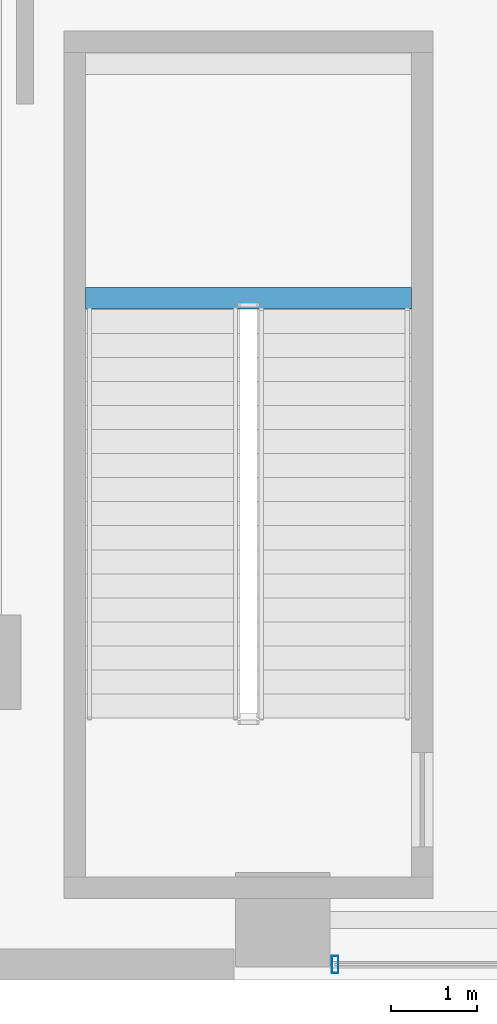
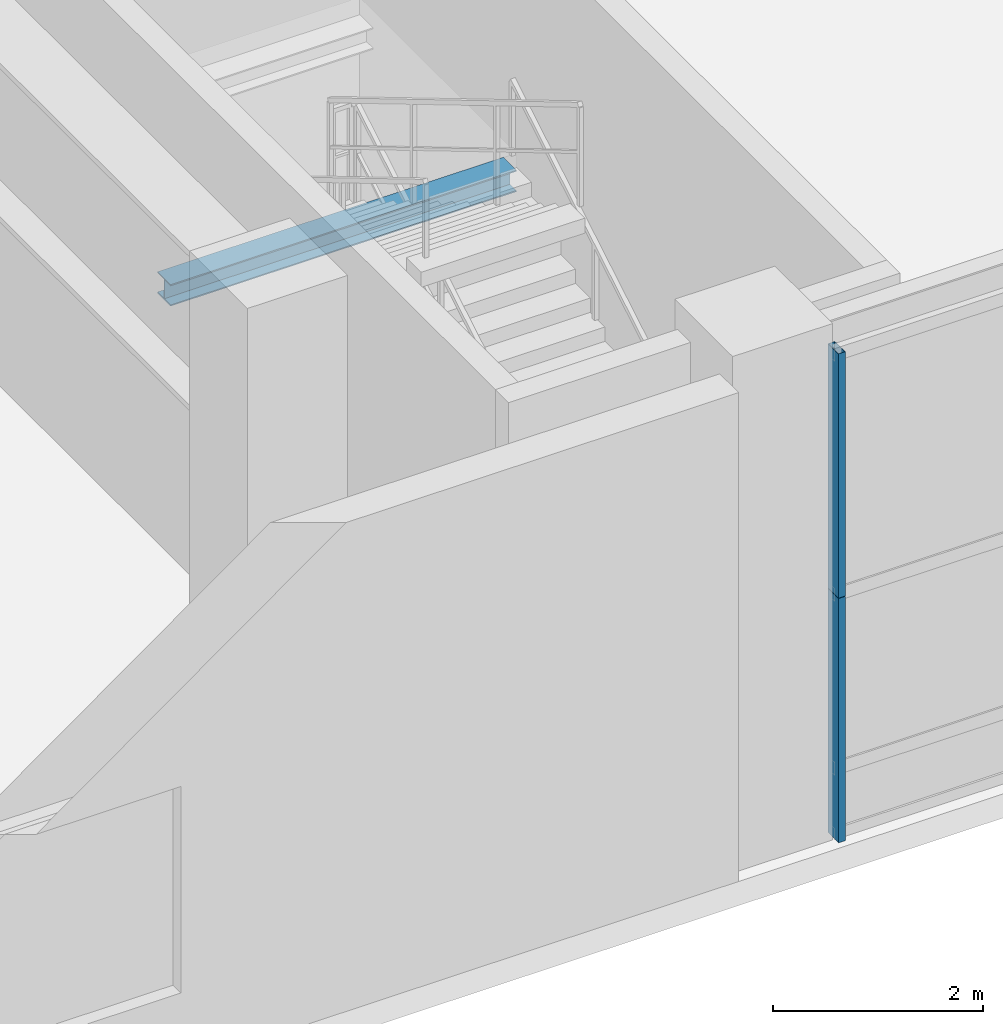
# One storey, part 4 of 39: 2 members, 1 beam, 1 element without a shape of its own.
"""IFC4 building model written with IfcOpenShell, lengths in metres."""

from ifc_helpers import new_model, si_unit, direction, frame, origin, origin_2d, place, context, subcontext, project, spatial, hollow_rectangle, i_section, extrude, source, transform, mapped, material, layer, layer_set, material_profile, profile_set, type_object, element, aggregate, save


model = new_model("IFC4")

# Units and contexts
model_context = context("Model", 3, precision=1e-05, world=origin(), true_north=direction((0.0, 1.0)))
body_context = subcontext(model_context, "Body", "Model", "MODEL_VIEW")
ifc_project = project(units=[si_unit("LENGTHUNIT", "METRE"), si_unit("AREAUNIT", "SQUARE_METRE"), si_unit("VOLUMEUNIT", "CUBIC_METRE"), si_unit("PLANEANGLEUNIT", "RADIAN"), si_unit("MASSUNIT", "GRAM", prefix="KILO"), si_unit("THERMODYNAMICTEMPERATUREUNIT", "KELVIN"), si_unit("POWERUNIT", "WATT")], contexts=[model_context])

# Site, building, storey
site_placement = place(None, origin())
site = spatial("IfcSite", under=ifc_project, at=site_placement, CompositionType="ELEMENT")
building_placement = place(site_placement, origin())
building = spatial("IfcBuilding", under=site, at=building_placement, Name="Yuzanri Waterfront Tower", CompositionType="ELEMENT")
storey_placement = place(building_placement, frame((0.0, 0.0, 19.800048828125)))
storey = spatial("IfcBuildingStorey", under=building, at=storey_placement, Name="L05", CompositionType="ELEMENT", Elevation=19.800048828125)

# Curtain wall, members
ifc_material_1 = material(Name="Anodized Architectural Bronze", Category="metal")
ifc_layer = layer(ifc_material_1, 0.159912109375)
ifc_layer_set = layer_set([ifc_layer], Name="Anodized Architectural Bronze")
curtain_wall_type = type_object("IfcCurtainWallType", Name="Anodized Bronze Podium Waterfront Double-Height Unitized Curtain Wall 8400", PredefinedType="NOTDEFINED", material=ifc_layer_set)
curtain_wall_placement = place(storey_placement, origin())
curtain_wall = element("IfcCurtainWall", 1, at=curtain_wall_placement, inside=storey, type_object=curtain_wall_type, Name="L05 Curtain Wall CW-L05-S1", PredefinedType="NOTDEFINED")
ifc_material_2 = material(Name="Anodized Architectural Bronze", Category="metal")
ifc_material_profile_1 = material_profile(ifc_material_2, hollow_rectangle(XDim=0.074951171875, YDim=0.199951171875, WallThickness=0.00390625, at=origin_2d()), Name="CWM 75x200")
ifc_profile_set_1 = profile_set([ifc_material_profile_1], Name="Anodized Architectural Bronze")
member_type = type_object("IfcMemberType", Name="Anodized Bronze Primary Curtain-Wall Mullion 75x200", PredefinedType="MULLION", material=ifc_profile_set_1)
shared_shape_1 = source(origin(), body_context, "Body", "SweptSolid", [
    extrude(hollow_rectangle(XDim=0.074951171875, YDim=0.199951171875, WallThickness=0.00390625, at=origin_2d()), origin(), (0.0, 0.0, 1.0), 2.837890625),
])
member_1_placement = place(storey_placement, frame((16.110107421875, 1.97998046875, 0.0), z_axis=(0.0, 0.0, 1.0), x_axis=(1.0, 0.0, 0.0)))
member_1 = element("IfcMember", 2, at=member_1_placement, type_object=member_type, Name="CW-L05-S1 Lower Mullion 00", PredefinedType="MULLION", context=body_context, shape_type="MappedRepresentation", body=[
    mapped(shared_shape_1, transform((0.0, 0.0, 0.0), scale=1.0)),
])
member_2_placement = place(storey_placement, frame((16.110107421875, 1.97998046875, 2.842041015625), z_axis=(0.0, 0.0, 1.0), x_axis=(1.0, 0.0, 0.0)))
member_2 = element("IfcMember", 3, at=member_2_placement, type_object=member_type, Name="CW-L05-S1 Upper Mullion 00", PredefinedType="MULLION", context=body_context, shape_type="MappedRepresentation", body=[
    mapped(shared_shape_1, transform((0.0, 0.0, 0.0), scale=1.0)),
])
aggregate(curtain_wall, [member_1, member_2])

# Beam
ifc_material_3 = material(Name="Steel Q355B", Category="steel")
ifc_material_profile_2 = material_profile(ifc_material_3, i_section(OverallWidth=0.25, OverallDepth=0.25, WebThickness=0.009033203125, FlangeThickness=0.013916015625, at=origin_2d()), Name="HW 250x250x9x14")
ifc_profile_set_2 = profile_set([ifc_material_profile_2], Name="Steel Q355B")
beam_type = type_object("IfcBeamType", Name="Stair Landing Support Beam Q355B HW 250x250", PredefinedType="BEAM", material=ifc_profile_set_2)
shared_shape_2 = source(origin(), body_context, "Body", "SweptSolid", [
    extrude(i_section(OverallWidth=0.25, OverallDepth=0.25, WebThickness=0.009033203125, FlangeThickness=0.013916015625, at=origin_2d()), origin(), (0.0, 0.0, 1.0), 3.800048828125),
])
beam_placement = place(storey_placement, frame((13.199951171875, 9.739990234375, 2.675048828125), z_axis=(1.0, 0.0, 0.0), x_axis=(0.0, 1.0, 0.0)))
element("IfcBeam", 4, at=beam_placement, inside=storey, type_object=beam_type, Name="L05 Stair Landing Support Beam PST-01-L05-L1-1", PredefinedType="BEAM", context=body_context, shape_type="MappedRepresentation", body=[
    mapped(shared_shape_2, transform((0.0, 0.0, 0.0), scale=1.0)),
])

save(model, "model.ifc")
